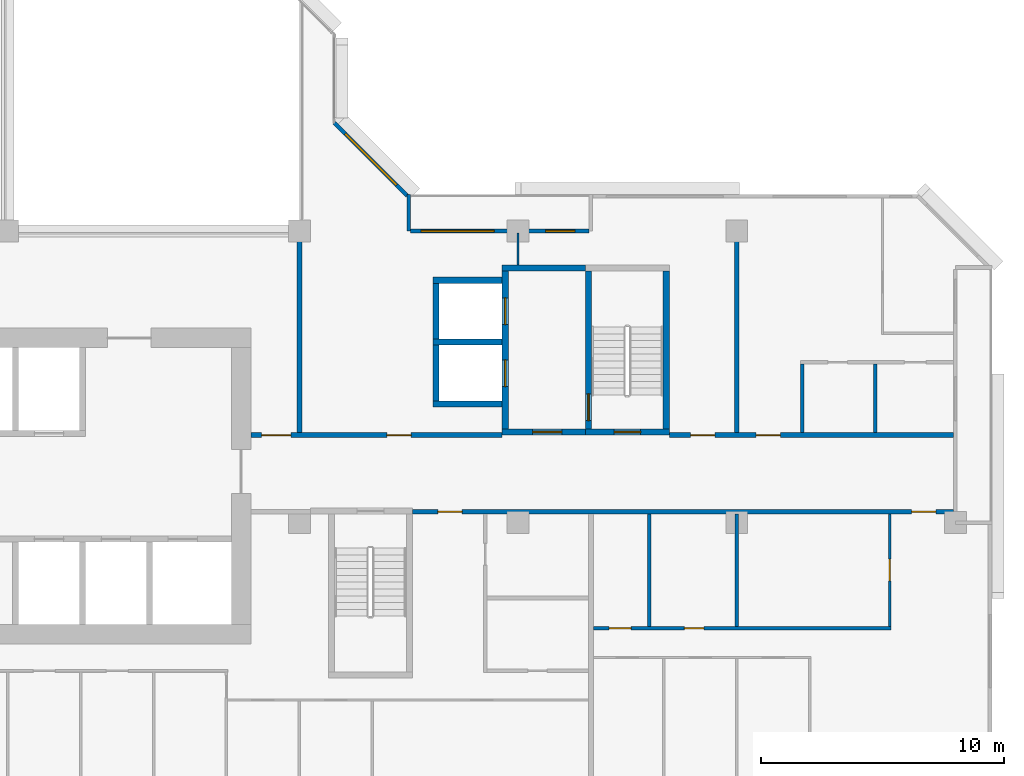
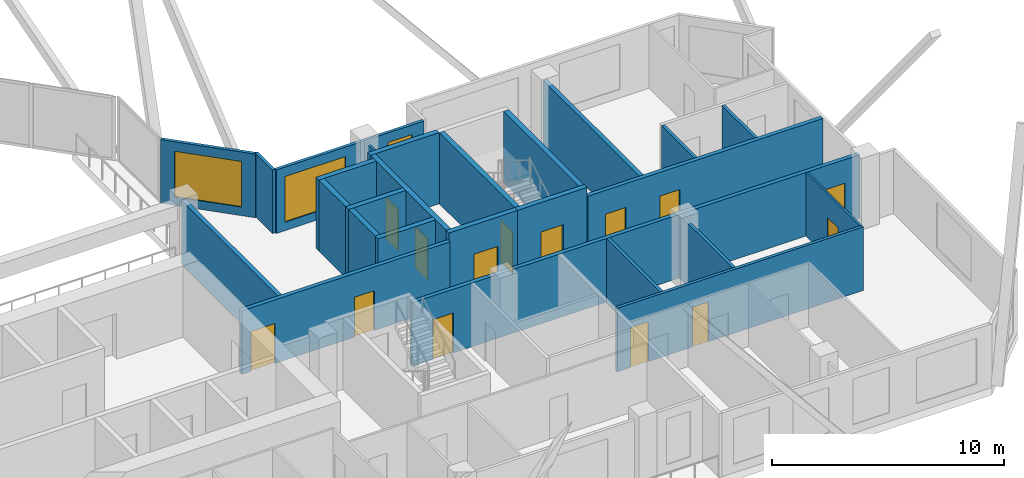
# One storey, part 7 of 15: 26 walls, 14 doors, 3 windows, 17 openings.
"""IFC4 building model written with IfcOpenShell, lengths in metres."""

from ifc_helpers import new_model, si_unit, direction, frame, frame_2d, origin, place, context, subcontext, project, spatial, rectangle, extrude, material, layer, layer_set, type_object, element, fill, save


model = new_model("IFC4")

# Units and contexts
model_context = context("Model", 3, precision=1e-05, world=origin(), true_north=direction((0.0, 1.0)))
body_context = subcontext(model_context, "Body", "Model", "MODEL_VIEW")
ifc_project = project(units=[si_unit("LENGTHUNIT", "METRE"), si_unit("AREAUNIT", "SQUARE_METRE"), si_unit("VOLUMEUNIT", "CUBIC_METRE"), si_unit("PLANEANGLEUNIT", "RADIAN"), si_unit("MASSUNIT", "GRAM", prefix="KILO")], contexts=[model_context])

# Site, building, storey
site_placement = place(None, origin())
site = spatial("IfcSite", under=ifc_project, at=site_placement, CompositionType="ELEMENT")
building_placement = place(site_placement, origin())
building = spatial("IfcBuilding", under=site, at=building_placement, Name="Chenar Terraces", CompositionType="ELEMENT")
storey_placement = place(building_placement, frame((0.0, 0.0, 194.89990234375)))
storey = spatial("IfcBuildingStorey", under=building, at=storey_placement, Name="L45", CompositionType="ELEMENT", Elevation=194.89990234375)

# Wall, opening, door
ifc_material_1 = material(Name="Concrete C60/75", Category="concrete")
ifc_layer_1 = layer(ifc_material_1, 0.25)
ifc_layer_set_1 = layer_set([ifc_layer_1], Name="Concrete C60/75")
wall_type_1 = type_object("IfcWallType", Name="Core wall 250 Concrete C60/75", PredefinedType="SHEAR", material=ifc_layer_set_1)
wall_1_placement = place(storey_placement, frame((47.77490234375, 15.72509765625, 0.0), z_axis=(0.0, 0.0, 1.0), x_axis=(1.0, 0.0, 0.0)))
wall_1 = element("IfcWall", 1, at=wall_1_placement, inside=storey, type_object=wall_type_1, Name="Core wall ST3_S L45", PredefinedType="SHEAR", context=body_context, shape_type="SweptSolid", body=[
    extrude(rectangle(XDim=3.4501953125, YDim=0.25, at=frame_2d((1.72509765625, 0.0))), origin(), (0.0, 0.0, 1.0), 3.75),
])
opening_1_placement = place(wall_1_placement, frame((1.175048828125, 0.0, 0.0)))
opening_1 = element("IfcOpeningElement", 2, at=opening_1_placement, cuts=wall_1, Name="Opening DL45-C8", PredefinedType="OPENING", context=body_context, shape_type="SweptSolid", body=[
    extrude(rectangle(XDim=1.10009765625, YDim=2.199951171875, at=frame_2d((0.550048828125, 1.10009765625))), frame((0.0, 0.135009765625, 0.0), z_axis=(0.0, -1.0, 0.0), x_axis=(1.0, 0.0, 0.0)), (0.0, 0.0, 1.0), 0.27001953125),
])
ifc_material_2 = material(Name="Steel-framed fire-resisting door leaf", Category="steel")
door_type_1 = type_object("IfcDoorType", Name="Stair fire door FD60 1100 x 2200", OperationType="SINGLE_SWING_LEFT", PredefinedType="DOOR", material=ifc_material_2)
door_1_placement = place(opening_1_placement, frame((1.10009765625, 0.0, 0.0), z_axis=(0.0, 0.0, 1.0), x_axis=(-1.0, 0.0, 0.0)))
door_1 = element("IfcDoor", 3, at=door_1_placement, inside=storey, type_object=door_type_1, Name="Stair door DL45-C8", OperationType="SINGLE_SWING_LEFT", OverallHeight=2.199951171875, OverallWidth=1.10009765625, PredefinedType="DOOR", context=body_context, shape_type="SweptSolid", body=[
    extrude(rectangle(XDim=1.10009765625, YDim=2.199951171875, at=frame_2d((0.550048828125, 1.10009765625))), frame((0.0, 0.02490234375, 0.0), z_axis=(0.0, -1.0, 0.0), x_axis=(1.0, 0.0, 0.0)), (0.0, 0.0, 1.0), 0.050048828125),
])
fill(opening_1, door_1)

wall_2_placement = place(storey_placement, frame((47.89990234375, 15.85009765625, 0.0), z_axis=(0.0, 0.0, 1.0), x_axis=(0.0, 1.0, 0.0)))
wall_2 = element("IfcWall", 4, at=wall_2_placement, inside=storey, type_object=wall_type_1, Name="Core wall ST3_W L45", PredefinedType="SHEAR", context=body_context, shape_type="SweptSolid", body=[
    extrude(rectangle(XDim=6.5, YDim=0.25, at=frame_2d((3.25, 0.0))), origin(), (0.0, 0.0, 1.0), 3.75),
])
opening_2_placement = place(wall_2_placement, frame((0.35009765625, 0.0, 0.0)))
opening_2 = element("IfcOpeningElement", 5, at=opening_2_placement, cuts=wall_2, Name="Opening DL45-C11", PredefinedType="OPENING", context=body_context, shape_type="SweptSolid", body=[
    extrude(rectangle(XDim=1.10009765625, YDim=2.199951171875, at=frame_2d((0.550048828125, 1.10009765625))), frame((0.0, 0.135009765625, 0.0), z_axis=(0.0, -1.0, 0.0), x_axis=(1.0, 0.0, 0.0)), (0.0, 0.0, 1.0), 0.27001953125),
])
door_2_placement = place(opening_2_placement, frame((1.10009765625, 0.0, 0.0), z_axis=(0.0, 0.0, 1.0), x_axis=(-1.0, 0.0, 0.0)))
door_2 = element("IfcDoor", 6, at=door_2_placement, inside=storey, type_object=door_type_1, Name="Stair door DL45-C11", OperationType="SINGLE_SWING_RIGHT", OverallHeight=2.199951171875, OverallWidth=1.10009765625, PredefinedType="DOOR", context=body_context, shape_type="SweptSolid", body=[
    extrude(rectangle(XDim=1.10009765625, YDim=2.199951171875, at=frame_2d((0.550048828125, 1.10009765625))), frame((0.0, 0.02490234375, 0.0), z_axis=(0.0, -1.0, 0.0), x_axis=(1.0, 0.0, 0.0)), (0.0, 0.0, 1.0), 0.050048828125),
])
fill(opening_2, door_2)

# Wall
wall_3_placement = place(storey_placement, frame((51.10009765625, 15.85009765625, 0.0), z_axis=(0.0, 0.0, 1.0), x_axis=(0.0, 1.0, 0.0)))
element("IfcWall", 7, at=wall_3_placement, inside=storey, type_object=wall_type_1, Name="Core wall ST3_E L45", PredefinedType="SHEAR", context=body_context, shape_type="SweptSolid", body=[
    extrude(rectangle(XDim=6.5, YDim=0.25, at=frame_2d((3.25, 0.0))), origin(), (0.0, 0.0, 1.0), 3.75),
])

# Wall, opening, door
wall_4_placement = place(storey_placement, frame((44.35009765625, 15.72509765625, 0.0), z_axis=(0.0, 0.0, 1.0), x_axis=(1.0, 0.0, 0.0)))
wall_4 = element("IfcWall", 8, at=wall_4_placement, inside=storey, type_object=wall_type_1, Name="Core wall F3_LS L45", PredefinedType="SHEAR", context=body_context, shape_type="SweptSolid", body=[
    extrude(rectangle(XDim=3.4248046875, YDim=0.25, at=frame_2d((1.71240234375, 0.0))), origin(), (0.0, 0.0, 1.0), 3.75),
])
opening_3_placement = place(wall_4_placement, frame((1.25, 0.0, 0.0)))
opening_3 = element("IfcOpeningElement", 9, at=opening_3_placement, cuts=wall_4, Name="Opening DL45-C10", PredefinedType="OPENING", context=body_context, shape_type="SweptSolid", body=[
    extrude(rectangle(XDim=1.199951171875, YDim=2.199951171875, at=frame_2d((0.60009765625, 1.10009765625))), frame((0.0, 0.135009765625, 0.0), z_axis=(0.0, -1.0, 0.0), x_axis=(1.0, 0.0, 0.0)), (0.0, 0.0, 1.0), 0.27001953125),
])
ifc_material_3 = material(Name="Steel-framed fire-resisting door leaf", Category="steel")
door_type_2 = type_object("IfcDoorType", Name="Lobby fire door FD60 1200 x 2200", OperationType="SINGLE_SWING_LEFT", PredefinedType="DOOR", material=ifc_material_3)
door_3_placement = place(opening_3_placement, origin())
door_3 = element("IfcDoor", 10, at=door_3_placement, inside=storey, type_object=door_type_2, Name="Core door DL45-C10", OperationType="SINGLE_SWING_RIGHT", OverallHeight=2.199951171875, OverallWidth=1.199951171875, PredefinedType="DOOR", context=body_context, shape_type="SweptSolid", body=[
    extrude(rectangle(XDim=1.199951171875, YDim=2.199951171875, at=frame_2d((0.60009765625, 1.10009765625))), frame((0.0, 0.02490234375, 0.0), z_axis=(0.0, -1.0, 0.0), x_axis=(1.0, 0.0, 0.0)), (0.0, 0.0, 1.0), 0.050048828125),
])
fill(opening_3, door_3)

# Wall
wall_5_placement = place(storey_placement, frame((44.35009765625, 22.47509765625, 0.0), z_axis=(0.0, 0.0, 1.0), x_axis=(1.0, 0.0, 0.0)))
element("IfcWall", 11, at=wall_5_placement, inside=storey, type_object=wall_type_1, Name="Core wall F3_LN L45", PredefinedType="SHEAR", context=body_context, shape_type="SweptSolid", body=[
    extrude(rectangle(XDim=3.4248046875, YDim=0.25, at=frame_2d((1.71240234375, 0.0))), origin(), (0.0, 0.0, 1.0), 3.75),
])

# Wall, openings, doors
wall_6_placement = place(storey_placement, frame((44.47509765625, 15.85009765625, 0.0), z_axis=(0.0, 0.0, 1.0), x_axis=(0.0, 1.0, 0.0)))
wall_6 = element("IfcWall", 12, at=wall_6_placement, inside=storey, type_object=wall_type_1, Name="Core wall F3_LW L45", PredefinedType="SHEAR", context=body_context, shape_type="SweptSolid", body=[
    extrude(rectangle(XDim=6.5, YDim=0.25, at=frame_2d((3.25, 0.0))), origin(), (0.0, 0.0, 1.0), 3.75),
])
opening_4_placement = place(wall_6_placement, frame((1.75, 0.0, 0.0)))
opening_4 = element("IfcOpeningElement", 13, at=opening_4_placement, cuts=wall_6, Name="Opening DL45-LD8", PredefinedType="OPENING", context=body_context, shape_type="SweptSolid", body=[
    extrude(rectangle(XDim=1.10009765625, YDim=2.199951171875, at=frame_2d((0.550048828125, 1.10009765625))), frame((0.0, 0.135009765625, 0.0), z_axis=(0.0, -1.0, 0.0), x_axis=(1.0, 0.0, 0.0)), (0.0, 0.0, 1.0), 0.27001953125),
])
opening_5_placement = place(wall_6_placement, frame((4.300048828125, 0.0, 0.0)))
opening_5 = element("IfcOpeningElement", 14, at=opening_5_placement, cuts=wall_6, Name="Opening DL45-LD9", PredefinedType="OPENING", context=body_context, shape_type="SweptSolid", body=[
    extrude(rectangle(XDim=1.10009765625, YDim=2.199951171875, at=frame_2d((0.550048828125, 1.10009765625))), frame((0.0, 0.135009765625, 0.0), z_axis=(0.0, -1.0, 0.0), x_axis=(1.0, 0.0, 0.0)), (0.0, 0.0, 1.0), 0.27001953125),
])
ifc_material_4 = material(Name="Stainless steel", Category="steel")
door_type_3 = type_object("IfcDoorType", Name="Lift landing door 1100 x 2200 sliding", OperationType="DOUBLE_DOOR_SLIDING", PredefinedType="DOOR", material=ifc_material_4)
door_4_placement = place(opening_4_placement, origin())
door_4 = element("IfcDoor", 15, at=door_4_placement, inside=storey, type_object=door_type_3, Name="Landing door F3", OperationType="DOUBLE_DOOR_SLIDING", OverallHeight=2.199951171875, OverallWidth=1.10009765625, PredefinedType="DOOR", context=body_context, shape_type="SweptSolid", body=[
    extrude(rectangle(XDim=1.10009765625, YDim=2.199951171875, at=frame_2d((0.550048828125, 1.10009765625))), frame((0.0, 0.02490234375, 0.0), z_axis=(0.0, -1.0, 0.0), x_axis=(1.0, 0.0, 0.0)), (0.0, 0.0, 1.0), 0.050048828125),
])
fill(opening_4, door_4)
door_5_placement = place(opening_5_placement, origin())
door_5 = element("IfcDoor", 16, at=door_5_placement, inside=storey, type_object=door_type_3, Name="Landing door F4", OperationType="DOUBLE_DOOR_SLIDING", OverallHeight=2.199951171875, OverallWidth=1.10009765625, PredefinedType="DOOR", context=body_context, shape_type="SweptSolid", body=[
    extrude(rectangle(XDim=1.10009765625, YDim=2.199951171875, at=frame_2d((0.550048828125, 1.10009765625))), frame((0.0, 0.02490234375, 0.0), z_axis=(0.0, -1.0, 0.0), x_axis=(1.0, 0.0, 0.0)), (0.0, 0.0, 1.0), 0.050048828125),
])
fill(opening_5, door_5)

# Walls
for number, where, z_axis, x_axis, name in (
    (17, (41.5, 16.875, 0.0), (0.0, 0.0, 1.0), (1.0, 0.0, 0.0), "Core wall F3_SS L45"),
    (18, (41.5, 19.425048828125, 0.0), (0.0, 0.0, 1.0), (1.0, 0.0, 0.0), "Core wall F3_SM L45"),
    (19, (41.5, 21.97509765625, 0.0), (0.0, 0.0, 1.0), (1.0, 0.0, 0.0), "Core wall F4_SN L45"),
):
    element("IfcWall", number, at=place(storey_placement, frame(where, z_axis=z_axis, x_axis=x_axis)), inside=storey, type_object=wall_type_1, Name=name, PredefinedType="SHEAR", context=body_context, shape_type="SweptSolid", body=[
        extrude(rectangle(XDim=2.85009765625, YDim=0.25, at=frame_2d((1.425048828125, 0.0))), origin(), (0.0, 0.0, 1.0), 3.75),
    ])
for number, where, z_axis, x_axis, name in (
    (20, (41.625, 17.0, 0.0), (0.0, 0.0, 1.0), (0.0, 1.0, 0.0), "Core wall F3_SW L45"),
    (21, (41.625, 19.550048828125, 0.0), (0.0, 0.0, 1.0), (0.0, 1.0, 0.0), "Core wall F4_SW L45"),
):
    element("IfcWall", number, at=place(storey_placement, frame(where, z_axis=z_axis, x_axis=x_axis)), inside=storey, type_object=wall_type_1, Name=name, PredefinedType="SHEAR", context=body_context, shape_type="SweptSolid", body=[
        extrude(rectangle(XDim=2.300048828125, YDim=0.25, at=frame_2d((1.14990234375, 0.0))), origin(), (0.0, 0.0, 1.0), 3.75),
    ])

# Wall, openings, doors
ifc_material_5 = material(Name="Gypsum board on steel studs with fire boards", Category="steel")
ifc_layer_2 = layer(ifc_material_5, 0.199951171875)
ifc_layer_set_2 = layer_set([ifc_layer_2], Name="Gypsum board on steel studs with fire boards")
wall_type_2 = type_object("IfcWallType", Name="Corridor wall 200", PredefinedType="PARTITIONING", material=ifc_layer_set_2)
wall_7_placement = place(storey_placement, frame((34.0, 15.60009765625, 0.0), z_axis=(0.0, 0.0, 1.0), x_axis=(1.0, 0.0, 0.0)))
wall_7 = element("IfcWall", 22, at=wall_7_placement, inside=storey, type_object=wall_type_2, Name="Partition L45-065", PredefinedType="PARTITIONING", context=body_context, shape_type="SweptSolid", body=[
    extrude(rectangle(XDim=10.35009765625, YDim=0.199951171875, at=frame_2d((5.175048828125, 0.0))), origin(), (0.0, 0.0, 1.0), 3.35009765625),
])
opening_6_placement = place(wall_7_placement, frame((5.60009765625, 0.0, 0.0)))
opening_6 = element("IfcOpeningElement", 23, at=opening_6_placement, cuts=wall_7, Name="Opening DL45-3", PredefinedType="OPENING", context=body_context, shape_type="SweptSolid", body=[
    extrude(rectangle(XDim=1.0, YDim=2.10009765625, at=frame_2d((0.5, 1.050048828125))), frame((0.0, 0.10986328125, 0.0), z_axis=(0.0, -1.0, 0.0), x_axis=(1.0, 0.0, 0.0)), (0.0, 0.0, 1.0), 0.219970703125),
])
opening_7_placement = place(wall_7_placement, frame((0.449951171875, 0.0, 0.0)))
opening_7 = element("IfcOpeningElement", 24, at=opening_7_placement, cuts=wall_7, Name="Opening DL45-37", PredefinedType="OPENING", context=body_context, shape_type="SweptSolid", body=[
    extrude(rectangle(XDim=1.199951171875, YDim=2.10009765625, at=frame_2d((0.60009765625, 1.050048828125))), frame((0.0, 0.10986328125, 0.0), z_axis=(0.0, -1.0, 0.0), x_axis=(1.0, 0.0, 0.0)), (0.0, 0.0, 1.0), 0.219970703125),
])
ifc_material_6 = material(Name="Steel-framed fire-resisting door leaf", Category="steel")
door_type_4 = type_object("IfcDoorType", Name="Fire door FD60 1000 x 2100", OperationType="SINGLE_SWING_LEFT", PredefinedType="DOOR", material=ifc_material_6)
door_6_placement = place(opening_6_placement, origin())
door_6 = element("IfcDoor", 25, at=door_6_placement, inside=storey, type_object=door_type_4, Name="Door DL45-3", OperationType="SINGLE_SWING_RIGHT", OverallHeight=2.10009765625, OverallWidth=1.0, PredefinedType="DOOR", context=body_context, shape_type="SweptSolid", body=[
    extrude(rectangle(XDim=1.0, YDim=2.10009765625, at=frame_2d((0.5, 1.050048828125))), frame((0.0, 0.02490234375, 0.0), z_axis=(0.0, -1.0, 0.0), x_axis=(1.0, 0.0, 0.0)), (0.0, 0.0, 1.0), 0.050048828125),
])
fill(opening_6, door_6)
ifc_material_7 = material(Name="Steel-framed fire-resisting door leaf", Category="steel")
door_type_5 = type_object("IfcDoorType", Name="Fire door FD60 1200 x 2100", OperationType="SINGLE_SWING_LEFT", PredefinedType="DOOR", material=ifc_material_7)
door_7_placement = place(opening_7_placement, origin())
door_7 = element("IfcDoor", 26, at=door_7_placement, inside=storey, type_object=door_type_5, Name="Door DL45-37", OperationType="SINGLE_SWING_RIGHT", OverallHeight=2.10009765625, OverallWidth=1.199951171875, PredefinedType="DOOR", context=body_context, shape_type="SweptSolid", body=[
    extrude(rectangle(XDim=1.199951171875, YDim=2.10009765625, at=frame_2d((0.60009765625, 1.050048828125))), frame((0.0, 0.02490234375, 0.0), z_axis=(0.0, -1.0, 0.0), x_axis=(1.0, 0.0, 0.0)), (0.0, 0.0, 1.0), 0.050048828125),
])
fill(opening_7, door_7)

# Wall
wall_8_placement = place(storey_placement, frame((36.0, 15.699951171875, 0.0), z_axis=(0.0, 0.0, 1.0), x_axis=(0.0, 1.0, 0.0)))
element("IfcWall", 27, at=wall_8_placement, inside=storey, type_object=wall_type_2, Name="Partition L45-067", PredefinedType="PARTITIONING", context=body_context, shape_type="SweptSolid", body=[
    extrude(rectangle(XDim=8.300048828125, YDim=0.199951171875, at=frame_2d((4.14990234375, 0.0))), origin(), (0.0, 0.0, 1.0), 3.35009765625),
])

# Wall, openings, doors
wall_9_placement = place(storey_placement, frame((40.64990234375, 12.449951171875, 0.0), z_axis=(0.0, 0.0, 1.0), x_axis=(1.0, 0.0, 0.0)))
wall_9 = element("IfcWall", 28, at=wall_9_placement, inside=storey, type_object=wall_type_2, Name="Partition L45-069", PredefinedType="PARTITIONING", context=body_context, shape_type="SweptSolid", body=[
    extrude(rectangle(XDim=22.276123046875, YDim=0.199951171875, at=frame_2d((11.13818359375, 0.0))), origin(), (0.0, 0.0, 1.0), 3.35009765625),
])
opening_8_placement = place(wall_9_placement, frame((20.550048828125, 0.0, 0.0)))
opening_8 = element("IfcOpeningElement", 29, at=opening_8_placement, cuts=wall_9, Name="Opening DL45-13", PredefinedType="OPENING", context=body_context, shape_type="SweptSolid", body=[
    extrude(rectangle(XDim=1.0, YDim=2.10009765625, at=frame_2d((0.5, 1.050048828125))), frame((0.0, 0.10986328125, 0.0), z_axis=(0.0, -1.0, 0.0), x_axis=(1.0, 0.0, 0.0)), (0.0, 0.0, 1.0), 0.219970703125),
])
opening_9_placement = place(wall_9_placement, frame((1.050048828125, 0.0, 0.0)))
opening_9 = element("IfcOpeningElement", 30, at=opening_9_placement, cuts=wall_9, Name="Opening DL45-52", PredefinedType="OPENING", context=body_context, shape_type="SweptSolid", body=[
    extrude(rectangle(XDim=1.0, YDim=2.10009765625, at=frame_2d((0.5, 1.050048828125))), frame((0.0, 0.10986328125, 0.0), z_axis=(0.0, -1.0, 0.0), x_axis=(1.0, 0.0, 0.0)), (0.0, 0.0, 1.0), 0.219970703125),
])
ifc_material_8 = material(Name="Steel-framed fire-resisting door leaf", Category="steel")
door_type_6 = type_object("IfcDoorType", Name="Fire door FD30S 1000 x 2100", OperationType="SINGLE_SWING_LEFT", PredefinedType="DOOR", material=ifc_material_8)
door_8_placement = place(opening_8_placement, frame((1.0, 0.0, 0.0), z_axis=(0.0, 0.0, 1.0), x_axis=(-1.0, 0.0, 0.0)))
door_8 = element("IfcDoor", 31, at=door_8_placement, inside=storey, type_object=door_type_6, Name="Door DL45-13", OperationType="SINGLE_SWING_LEFT", OverallHeight=2.10009765625, OverallWidth=1.0, PredefinedType="DOOR", context=body_context, shape_type="SweptSolid", body=[
    extrude(rectangle(XDim=1.0, YDim=2.10009765625, at=frame_2d((0.5, 1.050048828125))), frame((0.0, 0.02490234375, 0.0), z_axis=(0.0, -1.0, 0.0), x_axis=(1.0, 0.0, 0.0)), (0.0, 0.0, 1.0), 0.050048828125),
])
fill(opening_8, door_8)
door_9_placement = place(opening_9_placement, origin())
door_9 = element("IfcDoor", 32, at=door_9_placement, inside=storey, type_object=door_type_6, Name="Door DL45-52", OperationType="SINGLE_SWING_LEFT", OverallHeight=2.10009765625, OverallWidth=1.0, PredefinedType="DOOR", context=body_context, shape_type="SweptSolid", body=[
    extrude(rectangle(XDim=1.0, YDim=2.10009765625, at=frame_2d((0.5, 1.050048828125))), frame((0.0, 0.02490234375, 0.0), z_axis=(0.0, -1.0, 0.0), x_axis=(1.0, 0.0, 0.0)), (0.0, 0.0, 1.0), 0.050048828125),
])
fill(opening_9, door_9)

wall_10_placement = place(storey_placement, frame((51.22509765625, 15.60009765625, 0.0), z_axis=(0.0, 0.0, 1.0), x_axis=(1.0, 0.0, 0.0)))
wall_10 = element("IfcWall", 33, at=wall_10_placement, inside=storey, type_object=wall_type_2, Name="Partition L45-079", PredefinedType="PARTITIONING", context=body_context, shape_type="SweptSolid", body=[
    extrude(rectangle(XDim=11.700927734375, YDim=0.199951171875, at=frame_2d((5.8505859375, 0.0))), origin(), (0.0, 0.0, 1.0), 3.35009765625),
])
opening_10_placement = place(wall_10_placement, frame((3.574951171875, 0.0, 0.0)))
opening_10 = element("IfcOpeningElement", 34, at=opening_10_placement, cuts=wall_10, Name="Opening DL45-7", PredefinedType="OPENING", context=body_context, shape_type="SweptSolid", body=[
    extrude(rectangle(XDim=1.0, YDim=2.10009765625, at=frame_2d((0.5, 1.050048828125))), frame((0.0, 0.10986328125, 0.0), z_axis=(0.0, -1.0, 0.0), x_axis=(1.0, 0.0, 0.0)), (0.0, 0.0, 1.0), 0.219970703125),
])
opening_11_placement = place(wall_10_placement, frame((0.875, 0.0, 0.0)))
opening_11 = element("IfcOpeningElement", 35, at=opening_11_placement, cuts=wall_10, Name="Opening DL45-41", PredefinedType="OPENING", context=body_context, shape_type="SweptSolid", body=[
    extrude(rectangle(XDim=1.0, YDim=2.10009765625, at=frame_2d((0.5, 1.050048828125))), frame((0.0, 0.10986328125, 0.0), z_axis=(0.0, -1.0, 0.0), x_axis=(1.0, 0.0, 0.0)), (0.0, 0.0, 1.0), 0.219970703125),
])
door_10_placement = place(opening_10_placement, origin())
door_10 = element("IfcDoor", 36, at=door_10_placement, inside=storey, type_object=door_type_6, Name="Door DL45-7", OperationType="SINGLE_SWING_LEFT", OverallHeight=2.10009765625, OverallWidth=1.0, PredefinedType="DOOR", context=body_context, shape_type="SweptSolid", body=[
    extrude(rectangle(XDim=1.0, YDim=2.10009765625, at=frame_2d((0.5, 1.050048828125))), frame((0.0, 0.02490234375, 0.0), z_axis=(0.0, -1.0, 0.0), x_axis=(1.0, 0.0, 0.0)), (0.0, 0.0, 1.0), 0.050048828125),
])
fill(opening_10, door_10)
door_11_placement = place(opening_11_placement, origin())
door_11 = element("IfcDoor", 37, at=door_11_placement, inside=storey, type_object=door_type_6, Name="Door DL45-41", OperationType="SINGLE_SWING_RIGHT", OverallHeight=2.10009765625, OverallWidth=1.0, PredefinedType="DOOR", context=body_context, shape_type="SweptSolid", body=[
    extrude(rectangle(XDim=1.0, YDim=2.10009765625, at=frame_2d((0.5, 1.050048828125))), frame((0.0, 0.02490234375, 0.0), z_axis=(0.0, -1.0, 0.0), x_axis=(1.0, 0.0, 0.0)), (0.0, 0.0, 1.0), 0.050048828125),
])
fill(opening_11, door_11)

# Wall, openings, windows
ifc_material_9 = material(Name="Aluminium framed glazing", Category="aluminium")
ifc_layer_3 = layer(ifc_material_9, 0.14990234375)
ifc_layer_set_3 = layer_set([ifc_layer_3], Name="Aluminium framed glazing")
wall_type_3 = type_object("IfcWallType", Name="Glazed loggia back wall 150", PredefinedType="SOLIDWALL", material=ifc_layer_set_3)
wall_11_placement = place(storey_placement, frame((47.925048828125, 24.0, 0.0), z_axis=(0.0, 0.0, 1.0), x_axis=(-1.0, 0.0, 0.0)))
wall_11 = element("IfcWall", 38, at=wall_11_placement, inside=storey, type_object=wall_type_3, Name="Glazed loggia back wall", PredefinedType="SOLIDWALL", context=body_context, shape_type="SweptSolid", body=[
    extrude(rectangle(XDim=7.35009765625, YDim=0.14990234375, at=frame_2d((3.675048828125, 0.0))), origin(), (0.0, 0.0, 1.0), 3.35009765625),
])
opening_12_placement = place(wall_11_placement, frame((0.58740234375, 0.0, 0.449951171875)))
opening_12 = element("IfcOpeningElement", 39, at=opening_12_placement, cuts=wall_11, Name="Opening W120x240", PredefinedType="OPENING", context=body_context, shape_type="SweptSolid", body=[
    extrude(rectangle(XDim=1.199951171875, YDim=2.39990234375, at=frame_2d((0.60009765625, 1.199951171875))), frame((0.0, 0.0849609375, 0.0), z_axis=(0.0, -1.0, 0.0), x_axis=(1.0, 0.0, 0.0)), (0.0, 0.0, 1.0), 0.169921875),
])
opening_13_placement = place(wall_11_placement, frame((3.91259765625, 0.0, 0.449951171875)))
opening_13 = element("IfcOpeningElement", 40, at=opening_13_placement, cuts=wall_11, Name="Opening W300x240", PredefinedType="OPENING", context=body_context, shape_type="SweptSolid", body=[
    extrude(rectangle(XDim=3.0, YDim=2.39990234375, at=frame_2d((1.5, 1.199951171875))), frame((0.0, 0.0849609375, 0.0), z_axis=(0.0, -1.0, 0.0), x_axis=(1.0, 0.0, 0.0)), (0.0, 0.0, 1.0), 0.169921875),
])
ifc_material_10 = material(Name="Low emissivity double glazing, aluminium frame", Category="aluminium")
window_type_1 = type_object("IfcWindowType", Name="Fixed light 1200 x 2400", PartitioningType="SINGLE_PANEL", PredefinedType="WINDOW", material=ifc_material_10)
window_1_placement = place(opening_12_placement, origin())
window_1 = element("IfcWindow", 41, at=window_1_placement, inside=storey, type_object=window_type_1, Name="Window", OverallHeight=2.39990234375, OverallWidth=1.199951171875, PartitioningType="SINGLE_PANEL", PredefinedType="WINDOW", context=body_context, shape_type="SweptSolid", body=[
    extrude(rectangle(XDim=1.199951171875, YDim=2.39990234375, at=frame_2d((0.60009765625, 1.199951171875))), frame((0.0, 0.030029296875, 0.0), z_axis=(0.0, -1.0, 0.0), x_axis=(1.0, 0.0, 0.0)), (0.0, 0.0, 1.0), 0.06005859375),
])
fill(opening_12, window_1)
ifc_material_11 = material(Name="Low emissivity double glazing, aluminium frame", Category="aluminium")
window_type_2 = type_object("IfcWindowType", Name="Fixed light 3000 x 2400", PartitioningType="SINGLE_PANEL", PredefinedType="WINDOW", material=ifc_material_11)
window_2_placement = place(opening_13_placement, origin())
window_2 = element("IfcWindow", 42, at=window_2_placement, inside=storey, type_object=window_type_2, Name="Window", OverallHeight=2.39990234375, OverallWidth=3.0, PartitioningType="SINGLE_PANEL", PredefinedType="WINDOW", context=body_context, shape_type="SweptSolid", body=[
    extrude(rectangle(XDim=3.0, YDim=2.39990234375, at=frame_2d((1.5, 1.199951171875))), frame((0.0, 0.030029296875, 0.0), z_axis=(0.0, -1.0, 0.0), x_axis=(1.0, 0.0, 0.0)), (0.0, 0.0, 1.0), 0.06005859375),
])
fill(opening_13, window_2)

# Wall
ifc_material_12 = material(Name="Gypsum board on steel studs", Category="steel")
ifc_layer_4 = layer(ifc_material_12, 0.10009765625)
ifc_layer_set_4 = layer_set([ifc_layer_4], Name="Gypsum board on steel studs")
wall_type_4 = type_object("IfcWallType", Name="Gypsum partition 100", PredefinedType="PARTITIONING", material=ifc_layer_set_4)
wall_12_placement = place(storey_placement, frame((45.0, 22.60009765625, 0.0), z_axis=(0.0, 0.0, 1.0), x_axis=(0.0, 1.0, 0.0)))
element("IfcWall", 43, at=wall_12_placement, inside=storey, type_object=wall_type_4, Name="Partition L45-073", PredefinedType="PARTITIONING", context=body_context, shape_type="SweptSolid", body=[
    extrude(rectangle(XDim=1.325927734375, YDim=0.10009765625, at=frame_2d((0.6630859375, 0.0))), origin(), (0.0, 0.0, 1.0), 3.35009765625),
])

# Wall, opening, door
wall_13_placement = place(storey_placement, frame((60.300048828125, 7.72509765625, 0.0), z_axis=(0.0, 0.0, 1.0), x_axis=(0.0, 1.0, 0.0)))
wall_13 = element("IfcWall", 44, at=wall_13_placement, inside=storey, type_object=wall_type_4, Name="Partition L45-089", PredefinedType="PARTITIONING", context=body_context, shape_type="SweptSolid", body=[
    extrude(rectangle(XDim=4.625, YDim=0.10009765625, at=frame_2d((2.3125, 0.0))), origin(), (0.0, 0.0, 1.0), 3.35009765625),
])
opening_14_placement = place(wall_13_placement, frame((1.875, 0.0, 0.0)))
opening_14 = element("IfcOpeningElement", 45, at=opening_14_placement, cuts=wall_13, Name="Opening DL45-12", PredefinedType="OPENING", context=body_context, shape_type="SweptSolid", body=[
    extrude(rectangle(XDim=0.89990234375, YDim=2.10009765625, at=frame_2d((0.449951171875, 1.050048828125))), frame((0.0, 0.06005859375, 0.0), z_axis=(0.0, -1.0, 0.0), x_axis=(1.0, 0.0, 0.0)), (0.0, 0.0, 1.0), 0.1201171875),
])
ifc_material_13 = material(Name="Veneered timber door leaf", Category="wood")
door_type_7 = type_object("IfcDoorType", Name="Door 900 x 2100", OperationType="SINGLE_SWING_LEFT", PredefinedType="DOOR", material=ifc_material_13)
door_12_placement = place(opening_14_placement, origin())
door_12 = element("IfcDoor", 46, at=door_12_placement, inside=storey, type_object=door_type_7, Name="Door DL45-12", OperationType="SINGLE_SWING_LEFT", OverallHeight=2.10009765625, OverallWidth=0.89990234375, PredefinedType="DOOR", context=body_context, shape_type="SweptSolid", body=[
    extrude(rectangle(XDim=0.89990234375, YDim=2.10009765625, at=frame_2d((0.449951171875, 1.050048828125))), frame((0.0, 0.02490234375, 0.0), z_axis=(0.0, -1.0, 0.0), x_axis=(1.0, 0.0, 0.0)), (0.0, 0.0, 1.0), 0.050048828125),
])
fill(opening_14, door_12)

# Wall
ifc_material_14 = material(Name="Terracotta cladding on insulated backing", Category="masonry")
ifc_layer_5 = layer(ifc_material_14, 0.14990234375)
ifc_layer_set_5 = layer_set([ifc_layer_5], Name="Terracotta cladding on insulated backing")
wall_type_5 = type_object("IfcWallType", Name="Loggia return wall 150", PredefinedType="SOLIDWALL", material=ifc_layer_set_5)
wall_14_placement = place(storey_placement, frame((40.5, 25.5, 0.0), z_axis=(0.0, 0.0, 1.0), x_axis=(0.0, -1.0, 0.0)))
element("IfcWall", 47, at=wall_14_placement, inside=storey, type_object=wall_type_5, Name="Loggia return wall", PredefinedType="SOLIDWALL", context=body_context, shape_type="SweptSolid", body=[
    extrude(rectangle(XDim=1.5, YDim=0.14990234375, at=frame_2d((0.75, 0.0))), origin(), (0.0, 0.0, 1.0), 3.35009765625),
])

# Wall, opening, window
ifc_material_15 = material(Name="Terracotta cladding on insulated backing", Category="masonry")
ifc_layer_6 = layer(ifc_material_15, 0.14990234375)
ifc_layer_set_6 = layer_set([ifc_layer_6], Name="Terracotta cladding on insulated backing")
wall_type_6 = type_object("IfcWallType", Name="Terracotta rainscreen wall 150", PredefinedType="SOLIDWALL", material=ifc_layer_set_6)
wall_15_placement = place(storey_placement, frame((40.447021484375, 25.447021484375, 0.0), z_axis=(0.0, 0.0, 1.0), x_axis=(-0.707106781187, 0.707106781187, 0.0)))
wall_15 = element("IfcWall", 48, at=wall_15_placement, inside=storey, type_object=wall_type_6, Name="Terracotta rainscreen wall", PredefinedType="SOLIDWALL", context=body_context, shape_type="SweptSolid", body=[
    extrude(rectangle(XDim=4.24267578125, YDim=0.14990234375, at=frame_2d((2.121337890625, 0.0))), origin(), (0.0, 0.0, 1.0), 3.35009765625),
])
opening_15_placement = place(wall_15_placement, frame((0.621337890625, 0.0, 0.449951171875)))
opening_15 = element("IfcOpeningElement", 49, at=opening_15_placement, cuts=wall_15, Name="Opening W300x240", PredefinedType="OPENING", context=body_context, shape_type="SweptSolid", body=[
    extrude(rectangle(XDim=3.0, YDim=2.39990234375, at=frame_2d((1.5, 1.199951171875))), frame((0.0, 0.0849609375, 0.0), z_axis=(0.0, -1.0, 0.0), x_axis=(1.0, 0.0, 0.0)), (0.0, 0.0, 1.0), 0.169921875),
])
window_3_placement = place(opening_15_placement, origin())
window_3 = element("IfcWindow", 50, at=window_3_placement, inside=storey, type_object=window_type_2, Name="Window", OverallHeight=2.39990234375, OverallWidth=3.0, PartitioningType="SINGLE_PANEL", PredefinedType="WINDOW", context=body_context, shape_type="SweptSolid", body=[
    extrude(rectangle(XDim=3.0, YDim=2.39990234375, at=frame_2d((1.5, 1.199951171875))), frame((0.0, 0.030029296875, 0.0), z_axis=(0.0, -1.0, 0.0), x_axis=(1.0, 0.0, 0.0)), (0.0, 0.0, 1.0), 0.06005859375),
])
fill(opening_15, window_3)

# Wall
ifc_material_16 = material(Name="Twin gypsum board on steel studs with mineral wool", Category="steel")
ifc_layer_7 = layer(ifc_material_16, 0.199951171875)
ifc_layer_set_7 = layer_set([ifc_layer_7], Name="Twin gypsum board on steel studs with mineral wool")
wall_type_7 = type_object("IfcWallType", Name="Unit demising wall 200", PredefinedType="PARTITIONING", material=ifc_layer_set_7)
wall_16_placement = place(storey_placement, frame((54.0, 15.699951171875, 0.0), z_axis=(0.0, 0.0, 1.0), x_axis=(0.0, 1.0, 0.0)))
element("IfcWall", 51, at=wall_16_placement, inside=storey, type_object=wall_type_7, Name="Partition L45-082", PredefinedType="PARTITIONING", context=body_context, shape_type="SweptSolid", body=[
    extrude(rectangle(XDim=8.300048828125, YDim=0.199951171875, at=frame_2d((4.14990234375, 0.0))), origin(), (0.0, 0.0, 1.0), 3.35009765625),
])

# Wall, openings, doors
ifc_material_17 = material(Name="Moisture-resistant gypsum board on steel studs", Category="steel")
ifc_layer_8 = layer(ifc_material_17, 0.14990234375)
ifc_layer_set_8 = layer_set([ifc_layer_8], Name="Moisture-resistant gypsum board on steel studs")
wall_type_8 = type_object("IfcWallType", Name="Wet-room partition 150", PredefinedType="PARTITIONING", material=ifc_layer_set_8)
wall_17_placement = place(storey_placement, frame((48.10009765625, 7.64990234375, 0.0), z_axis=(0.0, 0.0, 1.0), x_axis=(1.0, 0.0, 0.0)))
wall_17 = element("IfcWall", 52, at=wall_17_placement, inside=storey, type_object=wall_type_8, Name="Partition L45-076", PredefinedType="PARTITIONING", context=body_context, shape_type="SweptSolid", body=[
    extrude(rectangle(XDim=12.25, YDim=0.14990234375, at=frame_2d((6.125, 0.0))), origin(), (0.0, 0.0, 1.0), 3.35009765625),
])
opening_16_placement = place(wall_17_placement, frame((3.75, 0.0, 0.0)))
opening_16 = element("IfcOpeningElement", 53, at=opening_16_placement, cuts=wall_17, Name="Opening DL45-8", PredefinedType="OPENING", context=body_context, shape_type="SweptSolid", body=[
    extrude(rectangle(XDim=0.800048828125, YDim=2.10009765625, at=frame_2d((0.39990234375, 1.050048828125))), frame((0.0, 0.0849609375, 0.0), z_axis=(0.0, -1.0, 0.0), x_axis=(1.0, 0.0, 0.0)), (0.0, 0.0, 1.0), 0.169921875),
])
opening_17_placement = place(wall_17_placement, frame((0.64990234375, 0.0, 0.0)))
opening_17 = element("IfcOpeningElement", 54, at=opening_17_placement, cuts=wall_17, Name="Opening DL45-14", PredefinedType="OPENING", context=body_context, shape_type="SweptSolid", body=[
    extrude(rectangle(XDim=0.89990234375, YDim=2.10009765625, at=frame_2d((0.449951171875, 1.050048828125))), frame((0.0, 0.0849609375, 0.0), z_axis=(0.0, -1.0, 0.0), x_axis=(1.0, 0.0, 0.0)), (0.0, 0.0, 1.0), 0.169921875),
])
ifc_material_18 = material(Name="Veneered timber door leaf", Category="wood")
door_type_8 = type_object("IfcDoorType", Name="Door 800 x 2100", OperationType="SINGLE_SWING_LEFT", PredefinedType="DOOR", material=ifc_material_18)
door_13_placement = place(opening_16_placement, origin())
door_13 = element("IfcDoor", 55, at=door_13_placement, inside=storey, type_object=door_type_8, Name="Door DL45-8", OperationType="SINGLE_SWING_RIGHT", OverallHeight=2.10009765625, OverallWidth=0.800048828125, PredefinedType="DOOR", context=body_context, shape_type="SweptSolid", body=[
    extrude(rectangle(XDim=0.800048828125, YDim=2.10009765625, at=frame_2d((0.39990234375, 1.050048828125))), frame((0.0, 0.02490234375, 0.0), z_axis=(0.0, -1.0, 0.0), x_axis=(1.0, 0.0, 0.0)), (0.0, 0.0, 1.0), 0.050048828125),
])
fill(opening_16, door_13)
door_14_placement = place(opening_17_placement, origin())
door_14 = element("IfcDoor", 56, at=door_14_placement, inside=storey, type_object=door_type_7, Name="Door DL45-14", OperationType="SINGLE_SWING_RIGHT", OverallHeight=2.10009765625, OverallWidth=0.89990234375, PredefinedType="DOOR", context=body_context, shape_type="SweptSolid", body=[
    extrude(rectangle(XDim=0.89990234375, YDim=2.10009765625, at=frame_2d((0.449951171875, 1.050048828125))), frame((0.0, 0.02490234375, 0.0), z_axis=(0.0, -1.0, 0.0), x_axis=(1.0, 0.0, 0.0)), (0.0, 0.0, 1.0), 0.050048828125),
])
fill(opening_17, door_14)

# Walls
for number, where, z_axis, x_axis, name in (
    (57, (50.39990234375, 7.72509765625, 0.0), (0.0, 0.0, 1.0), (0.0, 1.0, 0.0), "Partition L45-077"),
    (58, (54.0, 7.72509765625, 0.0), (0.0, 0.0, 1.0), (0.0, 1.0, 0.0), "Partition L45-081"),
):
    element("IfcWall", number, at=place(storey_placement, frame(where, z_axis=z_axis, x_axis=x_axis)), inside=storey, type_object=wall_type_8, Name=name, PredefinedType="PARTITIONING", context=body_context, shape_type="SweptSolid", body=[
        extrude(rectangle(XDim=4.625, YDim=0.14990234375, at=frame_2d((2.3125, 0.0))), origin(), (0.0, 0.0, 1.0), 3.35009765625),
    ])
for number, where, z_axis, x_axis, name in (
    (59, (56.699951171875, 15.699951171875, 0.0), (0.0, 0.0, 1.0), (0.0, 1.0, 0.0), "Partition L45-084"),
    (60, (59.699951171875, 15.699951171875, 0.0), (0.0, 0.0, 1.0), (0.0, 1.0, 0.0), "Partition L45-086"),
):
    element("IfcWall", number, at=place(storey_placement, frame(where, z_axis=z_axis, x_axis=x_axis)), inside=storey, type_object=wall_type_8, Name=name, PredefinedType="PARTITIONING", context=body_context, shape_type="SweptSolid", body=[
        extrude(rectangle(XDim=2.824951171875, YDim=0.14990234375, at=frame_2d((1.41259765625, 0.0))), origin(), (0.0, 0.0, 1.0), 3.35009765625),
    ])

save(model, "model.ifc")
